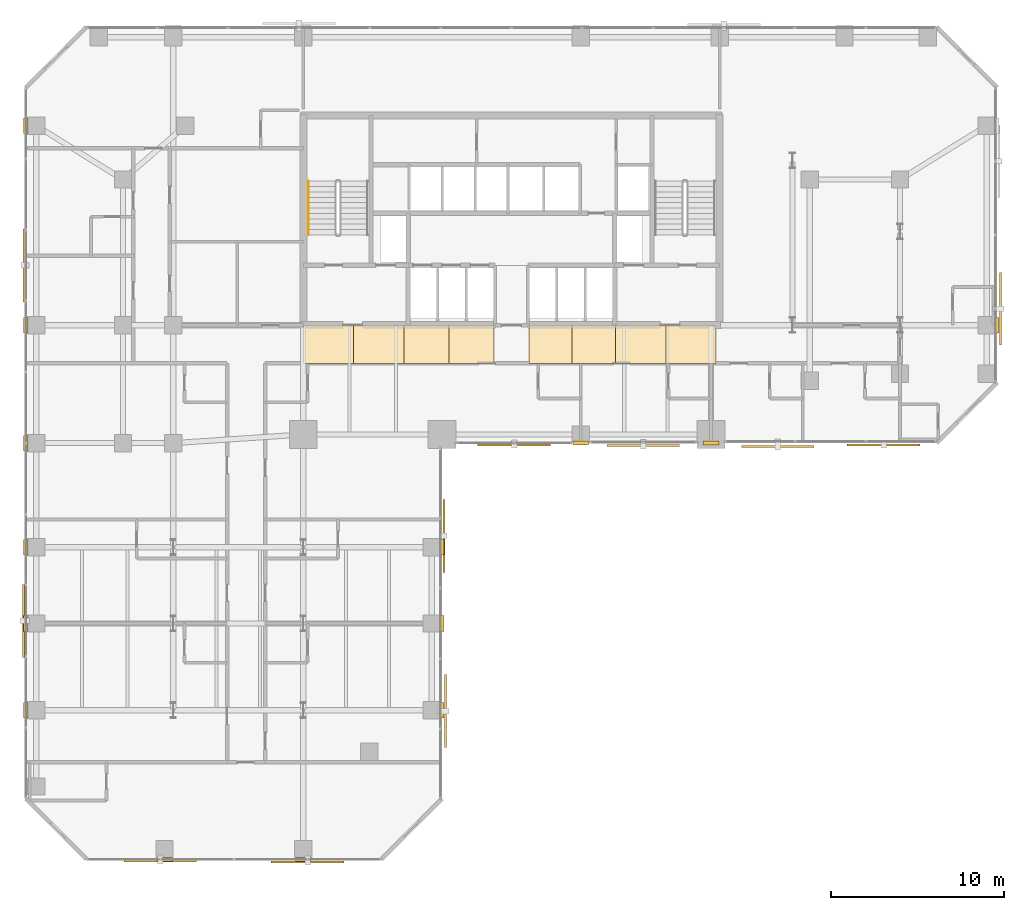
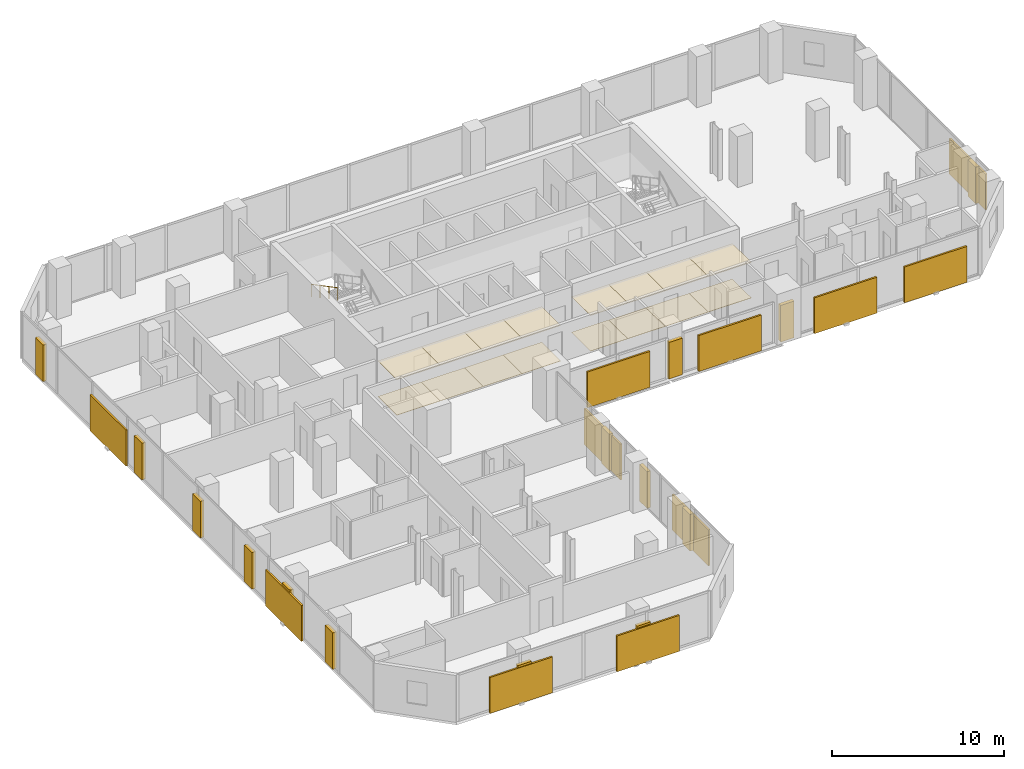
# One storey, part 30 of 31: 30 coverings, 11 shading devices, 1 railing.
"""IFC4 building model written with IfcOpenShell, lengths in metres."""

from ifc_helpers import new_model, si_unit, direction, frame, origin, origin_2d, place, context, subcontext, project, spatial, polyline, rectangle, circle, outline, extrude, material, layer, layer_set, type_object, element, save


model = new_model("IFC4")

# Units and contexts
model_context = context("Model", 3, precision=1e-05, world=origin(), true_north=direction((0.0, 1.0)))
body_context = subcontext(model_context, "Body", "Model", "MODEL_VIEW")
ifc_project = project(units=[si_unit("LENGTHUNIT", "METRE"), si_unit("AREAUNIT", "SQUARE_METRE"), si_unit("VOLUMEUNIT", "CUBIC_METRE"), si_unit("PLANEANGLEUNIT", "RADIAN"), si_unit("MASSUNIT", "GRAM", prefix="KILO")], contexts=[model_context])

# Site, building, storey
site_placement = place(None, origin())
site = spatial("IfcSite", under=ifc_project, at=site_placement, CompositionType="ELEMENT")
building_placement = place(site_placement, origin())
building = spatial("IfcBuilding", under=site, at=building_placement, Name="Catumbela Crestline Tower", CompositionType="ELEMENT")
storey_placement = place(building_placement, frame((0.0, 0.0, 25.8)))
storey = spatial("IfcBuildingStorey", under=building, at=storey_placement, Name="L05", CompositionType="ELEMENT", Elevation=25.8)

# Coverings
ifc_material_1 = material(Name="Mineral-fibre acoustic ceiling")
ifc_layer_1 = layer(ifc_material_1, 0.03, Name="Mineral-fibre acoustic ceiling")
ifc_layer_set_1 = layer_set([ifc_layer_1], Name="Mineral-fibre acoustic ceiling")
covering_type_1 = type_object("IfcCoveringType", Name="CC-AC", PredefinedType="CEILING", material=ifc_layer_set_1)
covering_1_placement = place(storey_placement, frame((0.0, 0.0, 2.52)))
element("IfcCovering", 1, at=covering_1_placement, inside=storey, type_object=covering_type_1, Name="L05 Corridor Acoustic Ceiling Bay 1", PredefinedType="CEILING", context=body_context, shape_type="SweptSolid", body=[
    extrude(outline(polyline([(16.0, 28.6), (18.9, 28.6), (18.9, 30.8), (16.0, 30.8), (16.0, 28.6)])), origin(), (0.0, 0.0, 1.0), 0.03),
])
covering_2_placement = place(storey_placement, frame((0.0, 0.0, 2.52)))
element("IfcCovering", 2, at=covering_2_placement, inside=storey, type_object=covering_type_1, Name="L05 Corridor Acoustic Ceiling Bay 2", PredefinedType="CEILING", context=body_context, shape_type="SweptSolid", body=[
    extrude(outline(polyline([(18.9, 28.6), (21.8, 28.6), (21.8, 30.8), (18.9, 30.8), (18.9, 28.6)])), origin(), (0.0, 0.0, 1.0), 0.03),
])
covering_3_placement = place(storey_placement, frame((0.0, 0.0, 2.52)))
element("IfcCovering", 3, at=covering_3_placement, inside=storey, type_object=covering_type_1, Name="L05 Corridor Acoustic Ceiling Bay 3", PredefinedType="CEILING", context=body_context, shape_type="SweptSolid", body=[
    extrude(outline(polyline([(21.8, 28.6), (24.4, 28.6), (24.4, 30.8), (21.8, 30.8), (21.8, 28.6)])), origin(), (0.0, 0.0, 1.0), 0.03),
])
covering_4_placement = place(storey_placement, frame((0.0, 0.0, 2.52)))
element("IfcCovering", 4, at=covering_4_placement, inside=storey, type_object=covering_type_1, Name="L05 Corridor Acoustic Ceiling Bay 4", PredefinedType="CEILING", context=body_context, shape_type="SweptSolid", body=[
    extrude(outline(polyline([(24.4, 28.6), (27.0, 28.6), (27.0, 30.8), (24.4, 30.8), (24.4, 28.6)])), origin(), (0.0, 0.0, 1.0), 0.03),
])
covering_5_placement = place(storey_placement, frame((0.0, 0.0, 2.52)))
element("IfcCovering", 5, at=covering_5_placement, inside=storey, type_object=covering_type_1, Name="L05 Corridor Acoustic Ceiling Bay 5", PredefinedType="CEILING", context=body_context, shape_type="SweptSolid", body=[
    extrude(outline(polyline([(29.0, 28.6), (31.5, 28.6), (31.5, 30.8), (29.0, 30.8), (29.0, 28.6)])), origin(), (0.0, 0.0, 1.0), 0.03),
])
covering_6_placement = place(storey_placement, frame((0.0, 0.0, 2.52)))
element("IfcCovering", 6, at=covering_6_placement, inside=storey, type_object=covering_type_1, Name="L05 Corridor Acoustic Ceiling Bay 6", PredefinedType="CEILING", context=body_context, shape_type="SweptSolid", body=[
    extrude(outline(polyline([(31.5, 28.6), (34.0, 28.6), (34.0, 30.8), (31.5, 30.8), (31.5, 28.6)])), origin(), (0.0, 0.0, 1.0), 0.03),
])
covering_7_placement = place(storey_placement, frame((0.0, 0.0, 2.52)))
element("IfcCovering", 7, at=covering_7_placement, inside=storey, type_object=covering_type_1, Name="L05 Corridor Acoustic Ceiling Bay 7", PredefinedType="CEILING", context=body_context, shape_type="SweptSolid", body=[
    extrude(outline(polyline([(34.0, 28.6), (36.9, 28.6), (36.9, 30.8), (34.0, 30.8), (34.0, 28.6)])), origin(), (0.0, 0.0, 1.0), 0.03),
])
covering_8_placement = place(storey_placement, frame((0.0, 0.0, 2.52)))
element("IfcCovering", 8, at=covering_8_placement, inside=storey, type_object=covering_type_1, Name="L05 Corridor Acoustic Ceiling Bay 8", PredefinedType="CEILING", context=body_context, shape_type="SweptSolid", body=[
    extrude(outline(polyline([(36.9, 28.6), (39.8, 28.6), (39.8, 30.8), (36.9, 30.8), (36.9, 28.6)])), origin(), (0.0, 0.0, 1.0), 0.03),
])
ifc_material_2 = material(Name="Extruded terracotta ceramic", Category="masonry")
ifc_layer_2 = layer(ifc_material_2, 0.08, Name="Extruded terracotta ceramic")
ifc_layer_set_2 = layer_set([ifc_layer_2], Name="Extruded terracotta ceramic")
covering_type_2 = type_object("IfcCoveringType", Name="CC-TER", PredefinedType="CLADDING", material=ifc_layer_set_2)
for number, where, z_axis, x_axis, name in (
    (9, (8.0, 0.0, 0.0), (0.0, 0.0, 1.0), (1.0, 0.0, 0.0), "L05 Fluted Terracotta Column Cladding 22"),
    (10, (16.0, 0.0, 0.0), (0.0, 0.0, 1.0), (1.0, 0.0, 0.0), "L05 Fluted Terracotta Column Cladding 23"),
    (11, (24.0, 8.6, 0.0), (0.0, 0.0, 1.0), (0.0, 1.0, 0.0), "L05 Fluted Terracotta Column Cladding 24"),
    (12, (24.0, 13.6, 0.0), (0.0, 0.0, 1.0), (0.0, 1.0, 0.0), "L05 Fluted Terracotta Column Cladding 25"),
    (13, (24.0, 18.0, 0.0), (0.0, 0.0, 1.0), (0.0, 1.0, 0.0), "L05 Fluted Terracotta Column Cladding 26"),
    (14, (32.0, 24.0, 0.0), (0.0, 0.0, 1.0), (1.0, 0.0, 0.0), "L05 Fluted Terracotta Column Cladding 27"),
    (15, (39.5, 24.0, 0.0), (0.0, 0.0, 1.0), (1.0, 0.0, 0.0), "L05 Fluted Terracotta Column Cladding 28"),
    (16, (56.0, 30.8, 0.0), (0.0, 0.0, 1.0), (0.0, 1.0, 0.0), "L05 Fluted Terracotta Column Cladding 29"),
    (17, (0.0, 24.0, 0.0), (0.0, 0.0, 1.0), (0.0, -1.0, 0.0), "L05 Fluted Terracotta Column Cladding 36"),
    (18, (0.0, 30.8, 0.0), (0.0, 0.0, 1.0), (0.0, -1.0, 0.0), "L05 Fluted Terracotta Column Cladding 37"),
    (19, (0.0, 42.3, 0.0), (0.0, 0.0, 1.0), (0.0, -1.0, 0.0), "L05 Fluted Terracotta Column Cladding 38"),
    (20, (0.0, 8.6, 0.0), (0.0, 0.0, 1.0), (0.0, -1.0, 0.0), "L05 Fluted Terracotta Column Cladding 39"),
    (21, (0.0, 13.6, 0.0), (0.0, 0.0, 1.0), (0.0, -1.0, 0.0), "L05 Fluted Terracotta Column Cladding 40"),
    (22, (0.0, 18.0, 0.0), (0.0, 0.0, 1.0), (0.0, -1.0, 0.0), "L05 Fluted Terracotta Column Cladding 41"),
):
    element("IfcCovering", number, at=place(storey_placement, frame(where, z_axis=z_axis, x_axis=x_axis)), inside=storey, type_object=covering_type_2, Name=name, PredefinedType="CLADDING", context=body_context, shape_type="SweptSolid", body=[
        extrude(rectangle(XDim=0.9, YDim=0.24, at=origin_2d()), origin(), (0.0, 0.0, 1.0), 2.6),
    ])
ifc_material_3 = material(Name="Angolan grey-ochre granite", Category="masonry")
ifc_layer_3 = layer(ifc_material_3, 0.025, Name="Angolan grey-ochre granite")
ifc_layer_set_3 = layer_set([ifc_layer_3], Name="Angolan grey-ochre granite")
covering_type_3 = type_object("IfcCoveringType", Name="CF-GR", PredefinedType="FLOORING", material=ifc_layer_set_3)
covering_9_placement = place(storey_placement, origin())
element("IfcCovering", 23, at=covering_9_placement, inside=storey, type_object=covering_type_3, Name="L05 Corridor Granite Flooring Bay 1", PredefinedType="FLOORING", context=body_context, shape_type="SweptSolid", body=[
    extrude(outline(polyline([(16.0, 28.6), (18.9, 28.6), (18.9, 30.8), (16.0, 30.8), (16.0, 28.6)])), origin(), (0.0, 0.0, 1.0), 0.025),
])
covering_10_placement = place(storey_placement, origin())
element("IfcCovering", 24, at=covering_10_placement, inside=storey, type_object=covering_type_3, Name="L05 Corridor Granite Flooring Bay 2", PredefinedType="FLOORING", context=body_context, shape_type="SweptSolid", body=[
    extrude(outline(polyline([(18.9, 28.6), (21.8, 28.6), (21.8, 30.8), (18.9, 30.8), (18.9, 28.6)])), origin(), (0.0, 0.0, 1.0), 0.025),
])
covering_11_placement = place(storey_placement, origin())
element("IfcCovering", 25, at=covering_11_placement, inside=storey, type_object=covering_type_3, Name="L05 Corridor Granite Flooring Bay 3", PredefinedType="FLOORING", context=body_context, shape_type="SweptSolid", body=[
    extrude(outline(polyline([(21.8, 28.6), (24.4, 28.6), (24.4, 30.8), (21.8, 30.8), (21.8, 28.6)])), origin(), (0.0, 0.0, 1.0), 0.025),
])
covering_12_placement = place(storey_placement, origin())
element("IfcCovering", 26, at=covering_12_placement, inside=storey, type_object=covering_type_3, Name="L05 Corridor Granite Flooring Bay 4", PredefinedType="FLOORING", context=body_context, shape_type="SweptSolid", body=[
    extrude(outline(polyline([(24.4, 28.6), (27.0, 28.6), (27.0, 30.8), (24.4, 30.8), (24.4, 28.6)])), origin(), (0.0, 0.0, 1.0), 0.025),
])
covering_13_placement = place(storey_placement, origin())
element("IfcCovering", 27, at=covering_13_placement, inside=storey, type_object=covering_type_3, Name="L05 Corridor Granite Flooring Bay 5", PredefinedType="FLOORING", context=body_context, shape_type="SweptSolid", body=[
    extrude(outline(polyline([(29.0, 28.6), (31.5, 28.6), (31.5, 30.8), (29.0, 30.8), (29.0, 28.6)])), origin(), (0.0, 0.0, 1.0), 0.025),
])
covering_14_placement = place(storey_placement, origin())
element("IfcCovering", 28, at=covering_14_placement, inside=storey, type_object=covering_type_3, Name="L05 Corridor Granite Flooring Bay 6", PredefinedType="FLOORING", context=body_context, shape_type="SweptSolid", body=[
    extrude(outline(polyline([(31.5, 28.6), (34.0, 28.6), (34.0, 30.8), (31.5, 30.8), (31.5, 28.6)])), origin(), (0.0, 0.0, 1.0), 0.025),
])
covering_15_placement = place(storey_placement, origin())
element("IfcCovering", 29, at=covering_15_placement, inside=storey, type_object=covering_type_3, Name="L05 Corridor Granite Flooring Bay 7", PredefinedType="FLOORING", context=body_context, shape_type="SweptSolid", body=[
    extrude(outline(polyline([(34.0, 28.6), (36.9, 28.6), (36.9, 30.8), (34.0, 30.8), (34.0, 28.6)])), origin(), (0.0, 0.0, 1.0), 0.025),
])
covering_16_placement = place(storey_placement, origin())
element("IfcCovering", 30, at=covering_16_placement, inside=storey, type_object=covering_type_3, Name="L05 Corridor Granite Flooring Bay 8", PredefinedType="FLOORING", context=body_context, shape_type="SweptSolid", body=[
    extrude(outline(polyline([(36.9, 28.6), (39.8, 28.6), (39.8, 30.8), (36.9, 30.8), (36.9, 28.6)])), origin(), (0.0, 0.0, 1.0), 0.025),
])

# Railing
ifc_material_4 = material(Name="Stainless steel EN 1.4401", Category="steel")
railing_type = type_object("IfcRailingType", Name="RH-0900", PredefinedType="HANDRAIL", material=ifc_material_4)
railing_placement = place(storey_placement, frame((16.3, 39.1, 1.9636)))
element("IfcRailing", 31, at=railing_placement, inside=storey, type_object=railing_type, Name="L05 ST-01 stair handrail 2", PredefinedType="HANDRAIL", context=body_context, shape_type="SweptSolid", body=[
    extrude(circle(Radius=0.024, at=origin_2d()), frame((0.0, 0.0, 0.876), z_axis=(0.0, -0.884350731049, 0.466823076222), x_axis=(1.0, 0.0, 0.0)), (0.0, 0.0, 1.0), 3.5054),
    extrude(circle(Radius=0.021, at=origin_2d()), origin(), (0.0, 0.0, 1.0), 0.852),
    extrude(circle(Radius=0.021, at=origin_2d()), frame((0.0, -1.0333, 0.5455)), (0.0, 0.0, 1.0), 0.852),
    extrude(circle(Radius=0.021, at=origin_2d()), frame((0.0, -2.0667, 1.0909)), (0.0, 0.0, 1.0), 0.852),
    extrude(circle(Radius=0.021, at=origin_2d()), frame((0.0, -3.1, 1.6364)), (0.0, 0.0, 1.0), 0.852),
])

# Shading devices
shading_device_type_1 = type_object("IfcShadingDeviceType", Name="ST-180", PredefinedType="USERDEFINED", material=ifc_material_2)
for number, where, z_axis, x_axis, name in (
    (32, (7.75, -0.099, -0.1), (0.0, 0.0, 1.0), (1.0, 0.0, 0.0), "L05 Perforated Terracotta Solar Screen 1 (180 mm)"),
    (33, (24.099, 18.65, -0.1), (0.0, 0.0, 1.0), (0.0, 1.0, 0.0), "L05 Perforated Terracotta Solar Screen 4 (180 mm)"),
    (34, (28.15, 23.901, -0.1), (0.0, 0.0, 1.0), (1.0, 0.0, 0.0), "L05 Perforated Terracotta Solar Screen 5 (180 mm)"),
    (35, (49.45, 23.901, -0.1), (0.0, 0.0, 1.0), (1.0, 0.0, 0.0), "L05 Perforated Terracotta Solar Screen 8 (180 mm)"),
    (36, (-0.099, 34.25, -0.1), (0.0, 0.0, 1.0), (0.0, -1.0, 0.0), "L05 Perforated Terracotta Solar Screen 13 (180 mm)"),
):
    element("IfcShadingDevice", number, at=place(storey_placement, frame(where, z_axis=z_axis, x_axis=x_axis)), inside=storey, type_object=shading_device_type_1, Name=name, ObjectType="SCREEN", PredefinedType="USERDEFINED", context=body_context, shape_type="SweptSolid", body=[
        extrude(rectangle(XDim=4.2, YDim=0.12, at=origin_2d()), origin(), (0.0, 0.0, 1.0), 2.55),
    ])
shading_device_type_2 = type_object("IfcShadingDeviceType", Name="ST-260", PredefinedType="USERDEFINED", material=ifc_material_2)
for number, where, z_axis, x_axis, name in (
    (37, (16.25, -0.143, -0.1), (0.0, 0.0, 1.0), (1.0, 0.0, 0.0), "L05 Perforated Terracotta Solar Screen 2 (260 mm)"),
    (38, (35.6, 23.857, -0.1), (0.0, 0.0, 1.0), (1.0, 0.0, 0.0), "L05 Perforated Terracotta Solar Screen 6 (260 mm)"),
    (39, (-0.143, 13.75, -0.1), (0.0, 0.0, 1.0), (0.0, -1.0, 0.0), "L05 Perforated Terracotta Solar Screen 14 (260 mm)"),
):
    element("IfcShadingDevice", number, at=place(storey_placement, frame(where, z_axis=z_axis, x_axis=x_axis)), inside=storey, type_object=shading_device_type_2, Name=name, ObjectType="SCREEN", PredefinedType="USERDEFINED", context=body_context, shape_type="SweptSolid", body=[
        extrude(rectangle(XDim=4.2, YDim=0.12, at=origin_2d()), origin(), (0.0, 0.0, 1.0), 2.55),
    ])
shading_device_type_3 = type_object("IfcShadingDeviceType", Name="ST-340", PredefinedType="USERDEFINED", material=ifc_material_2)
for number, where, z_axis, x_axis, name in (
    (40, (24.187, 8.55, -0.1), (0.0, 0.0, 1.0), (0.0, 1.0, 0.0), "L05 Perforated Terracotta Solar Screen 3 (340 mm)"),
    (41, (43.35, 23.813, -0.1), (0.0, 0.0, 1.0), (1.0, 0.0, 0.0), "L05 Perforated Terracotta Solar Screen 7 (340 mm)"),
    (42, (56.187, 31.75, -0.1), (0.0, 0.0, 1.0), (0.0, 1.0, 0.0), "L05 Perforated Terracotta Solar Screen 9 (340 mm)"),
):
    element("IfcShadingDevice", number, at=place(storey_placement, frame(where, z_axis=z_axis, x_axis=x_axis)), inside=storey, type_object=shading_device_type_3, Name=name, ObjectType="SCREEN", PredefinedType="USERDEFINED", context=body_context, shape_type="SweptSolid", body=[
        extrude(rectangle(XDim=4.2, YDim=0.12, at=origin_2d()), origin(), (0.0, 0.0, 1.0), 2.55),
    ])

save(model, "model.ifc")
